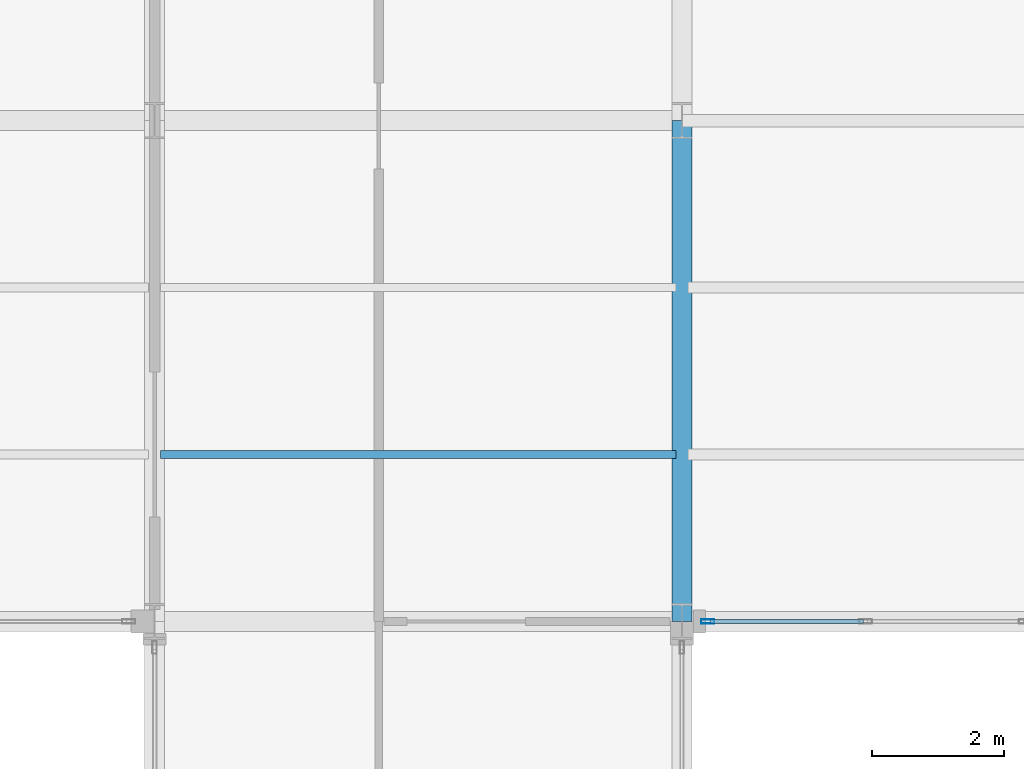
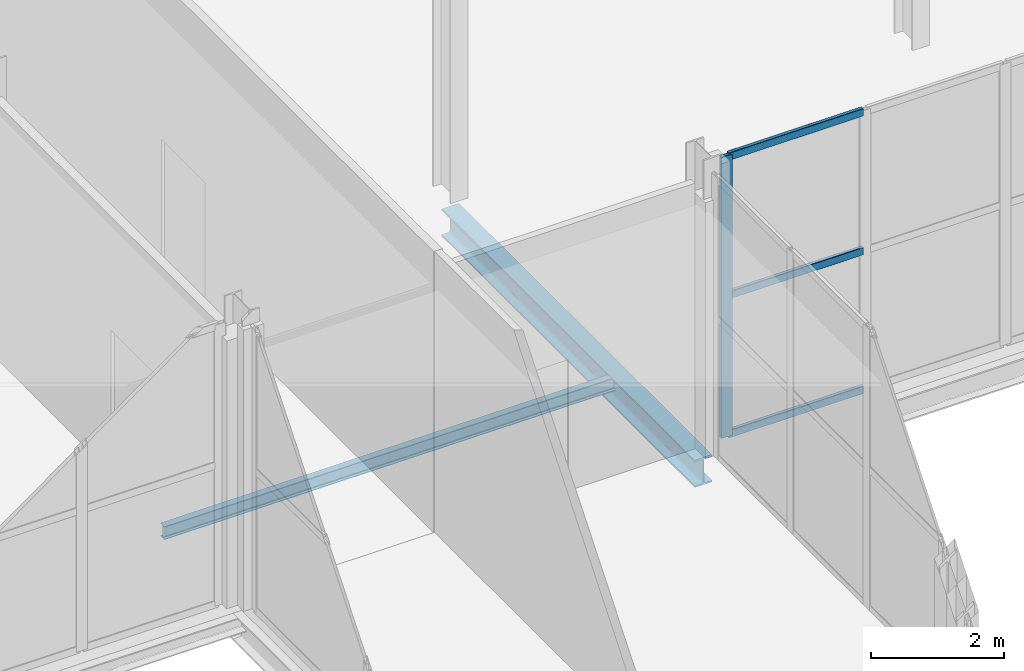
# One storey, part 73 of 147: 4 members, 2 beams, 1 element without a shape of its own.
"""IFC4 building model written with IfcOpenShell, lengths in metres."""

from ifc_helpers import new_model, si_unit, direction, frame, origin, origin_2d, place, context, subcontext, project, spatial, hollow_rectangle, i_section, extrude, material, layer, layer_set, material_profile, profile_set, type_object, element, aggregate, save


model = new_model("IFC4")

# Units and contexts
model_context = context("Model", 3, precision=1e-05, world=origin(), true_north=direction((0.0, 1.0)))
body_context = subcontext(model_context, "Body", "Model", "MODEL_VIEW")
ifc_project = project(units=[si_unit("LENGTHUNIT", "METRE"), si_unit("AREAUNIT", "SQUARE_METRE"), si_unit("VOLUMEUNIT", "CUBIC_METRE"), si_unit("PLANEANGLEUNIT", "RADIAN"), si_unit("MASSUNIT", "GRAM", prefix="KILO")], contexts=[model_context])

# Site, building, storey
site_placement = place(None, origin())
site = spatial("IfcSite", under=ifc_project, at=site_placement, CompositionType="ELEMENT")
building_placement = place(site_placement, origin())
building = spatial("IfcBuilding", under=site, at=building_placement, Name="Vekula Escarpment Museum", CompositionType="ELEMENT")
storey_placement = place(building_placement, frame((0.0, 0.0, 7.800048828125)))
storey = spatial("IfcBuildingStorey", under=building, at=storey_placement, Name="L02", CompositionType="ELEMENT", Elevation=7.800048828125)

# Beams
ifc_material_1 = material(Name="Steel S355", Category="steel")
ifc_material_profile_1 = material_profile(ifc_material_1, i_section(OverallWidth=0.300048828125, OverallDepth=0.5, WebThickness=0.014404296875, FlangeThickness=0.028076171875, FilletRadius=0.027099609375, at=origin_2d()), Name="HEB 500")
ifc_profile_set_1 = profile_set([ifc_material_profile_1], Name="Steel S355")
beam_type_1 = type_object("IfcBeamType", Name="BM-GIRD-HEB500", PredefinedType="BEAM", material=ifc_profile_set_1)
beam_1_placement = place(storey_placement, frame((102.0, 120.800048828125, -0.510009765625), z_axis=(0.0, 1.0, 0.0), x_axis=(-1.0, 0.0, 0.0)))
element("IfcBeam", 1, at=beam_1_placement, inside=storey, type_object=beam_type_1, Name="Beam Y L02 1182", PredefinedType="BEAM", context=body_context, shape_type="SweptSolid", body=[
    extrude(i_section(OverallWidth=0.300048828125, OverallDepth=0.5, WebThickness=0.014404296875, FlangeThickness=0.028076171875, FilletRadius=0.027099609375, at=origin_2d()), origin(), (0.0, 0.0, 1.0), 7.599853515625),
])
ifc_material_2 = material(Name="Steel S355", Category="steel")
ifc_material_profile_2 = material_profile(ifc_material_2, i_section(OverallWidth=0.1201171875, OverallDepth=0.239990234375, WebThickness=0.006103515625, FlangeThickness=0.009765625, FilletRadius=0.014892578125, at=origin_2d()), Name="IPE 240")
ifc_profile_set_2 = profile_set([ifc_material_profile_2], Name="Steel S355")
beam_type_2 = type_object("IfcBeamType", Name="BM-JST-IPE240", PredefinedType="JOIST", material=ifc_profile_set_2)
beam_2_placement = place(storey_placement, frame((94.090087890625, 123.333251953125, -0.380126953125), z_axis=(1.0, 0.0, 0.0), x_axis=(0.0, 1.0, 0.0)))
element("IfcBeam", 2, at=beam_2_placement, inside=storey, type_object=beam_type_2, Name="Secondary Joist L02 0788", PredefinedType="JOIST", context=body_context, shape_type="SweptSolid", body=[
    extrude(i_section(OverallWidth=0.1201171875, OverallDepth=0.239990234375, WebThickness=0.006103515625, FlangeThickness=0.009765625, FilletRadius=0.014892578125, at=origin_2d()), origin(), (0.0, 0.0, 1.0), 7.81982421875),
])

# Curtain wall, members
ifc_material_3 = material(Name="Aluminium thermally broken framing", Category="aluminium")
ifc_layer = layer(ifc_material_3, 0.199951171875)
ifc_layer_set = layer_set([ifc_layer], Name="Aluminium thermally broken framing")
curtain_wall_type = type_object("IfcCurtainWallType", Name="CW-SYS-03", PredefinedType="NOTDEFINED", material=ifc_layer_set)
curtain_wall_placement = place(storey_placement, origin())
curtain_wall = element("IfcCurtainWall", 3, at=curtain_wall_placement, inside=storey, type_object=curtain_wall_type, Name="Curtain Wall CW-L02-083", PredefinedType="NOTDEFINED")
ifc_material_4 = material(Name="Aluminium anodized mullion", Category="aluminium")
ifc_material_profile_3 = material_profile(ifc_material_4, hollow_rectangle(XDim=0.06494140625, YDim=0.199951171875, WallThickness=0.00390625, InnerFilletRadius=0.00390625, OuterFilletRadius=0.008056640625, at=origin_2d()), Name="ALU 200x65x4")
ifc_profile_set_3 = profile_set([ifc_material_profile_3], Name="Aluminium anodized mullion")
member_type_1 = type_object("IfcMemberType", Name="CW-MUL-200", PredefinedType="MULLION", material=ifc_profile_set_3)
member_1_placement = place(storey_placement, frame((102.392578125, 120.800048828125, 0.0), z_axis=(0.0, 0.0, 1.0), x_axis=(0.0, 1.0, 0.0)))
member_1 = element("IfcMember", 4, at=member_1_placement, type_object=member_type_1, Name="CW-03 mullion 1", PredefinedType="MULLION", context=body_context, shape_type="SweptSolid", body=[
    extrude(hollow_rectangle(XDim=0.06494140625, YDim=0.199951171875, WallThickness=0.00390625, InnerFilletRadius=0.00390625, OuterFilletRadius=0.008056640625, at=origin_2d()), origin(), (0.0, 0.0, 1.0), 5.14990234375),
])
ifc_material_5 = material(Name="Aluminium anodized transom", Category="aluminium")
ifc_material_profile_4 = material_profile(ifc_material_5, hollow_rectangle(XDim=0.06494140625, YDim=0.139892578125, WallThickness=0.00390625, InnerFilletRadius=0.00390625, OuterFilletRadius=0.008056640625, at=origin_2d()), Name="ALU 140x65x4")
ifc_profile_set_4 = profile_set([ifc_material_profile_4], Name="Aluminium anodized transom")
member_type_2 = type_object("IfcMemberType", Name="CW-TRN-140", PredefinedType="USERDEFINED", material=ifc_profile_set_4)
member_2_placement = place(storey_placement, frame((102.425048828125, 120.800048828125, 0.032470703125), z_axis=(1.0, 0.0, 0.0), x_axis=(0.0, 1.0, 0.0)))
member_2 = element("IfcMember", 5, at=member_2_placement, type_object=member_type_2, Name="CW-03 transom 1.1", ObjectType="TRANSOM", PredefinedType="USERDEFINED", context=body_context, shape_type="SweptSolid", body=[
    extrude(hollow_rectangle(XDim=0.06494140625, YDim=0.139892578125, WallThickness=0.00390625, InnerFilletRadius=0.00390625, OuterFilletRadius=0.008056640625, at=origin_2d()), origin(), (0.0, 0.0, 1.0), 2.3291015625),
])
member_3_placement = place(storey_placement, frame((102.425048828125, 120.800048828125, 2.574951171875), z_axis=(1.0, 0.0, 0.0), x_axis=(0.0, 1.0, 0.0)))
member_3 = element("IfcMember", 6, at=member_3_placement, type_object=member_type_2, Name="CW-03 transom 1.2", ObjectType="TRANSOM", PredefinedType="USERDEFINED", context=body_context, shape_type="SweptSolid", body=[
    extrude(hollow_rectangle(XDim=0.06494140625, YDim=0.139892578125, WallThickness=0.00390625, InnerFilletRadius=0.00390625, OuterFilletRadius=0.008056640625, at=origin_2d()), origin(), (0.0, 0.0, 1.0), 2.3291015625),
])
member_4_placement = place(storey_placement, frame((102.425048828125, 120.800048828125, 5.117431640625), z_axis=(1.0, 0.0, 0.0), x_axis=(0.0, 1.0, 0.0)))
member_4 = element("IfcMember", 7, at=member_4_placement, type_object=member_type_2, Name="CW-03 transom 1.3", ObjectType="TRANSOM", PredefinedType="USERDEFINED", context=body_context, shape_type="SweptSolid", body=[
    extrude(hollow_rectangle(XDim=0.06494140625, YDim=0.139892578125, WallThickness=0.00390625, InnerFilletRadius=0.00390625, OuterFilletRadius=0.008056640625, at=origin_2d()), origin(), (0.0, 0.0, 1.0), 2.3291015625),
])
aggregate(curtain_wall, [member_1, member_2, member_3, member_4])

save(model, "model.ifc")
